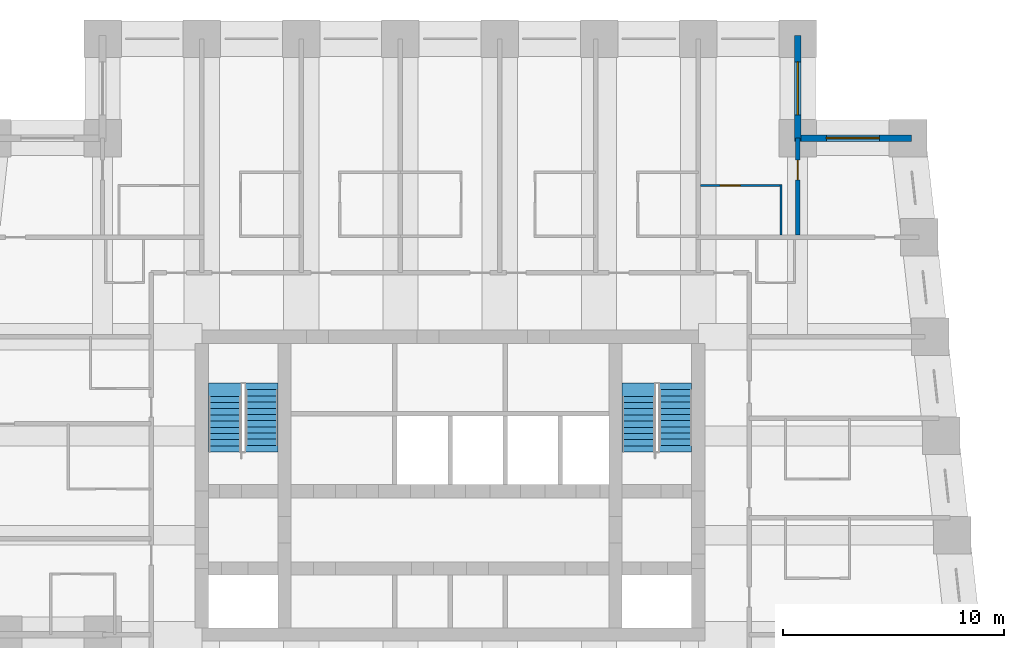
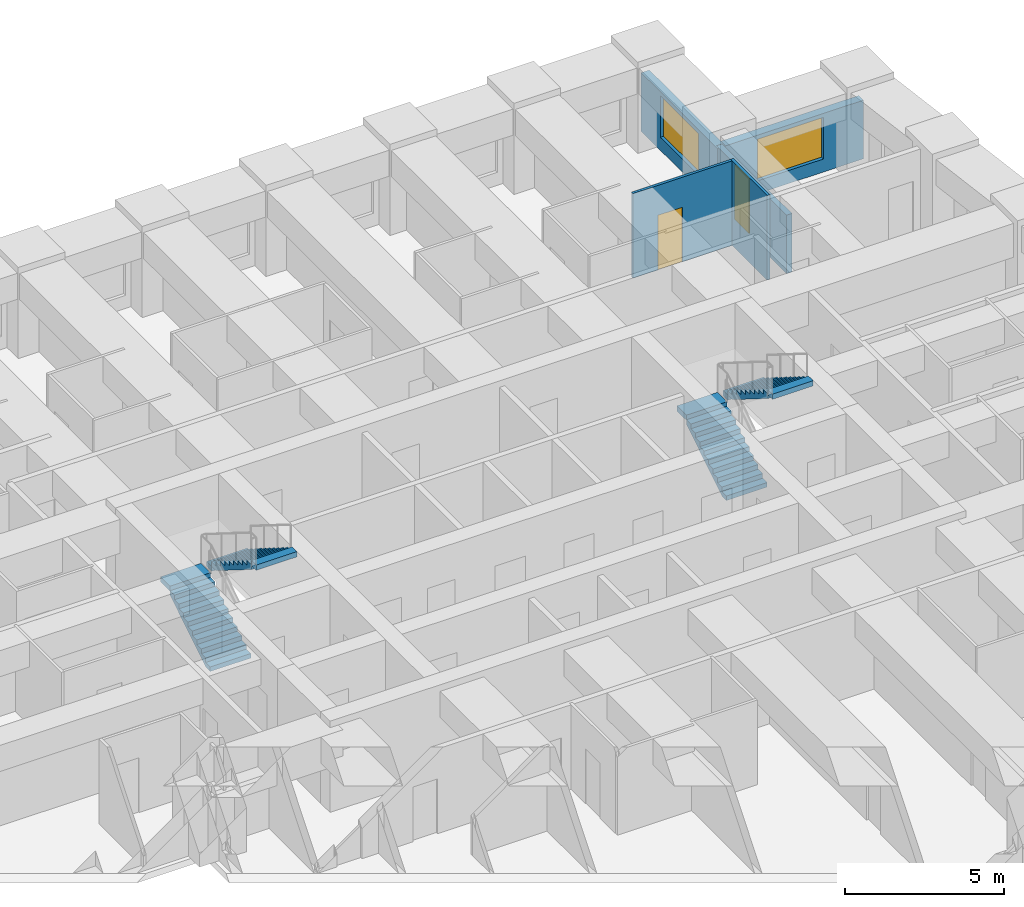
# One storey, part 7 of 8: 5 walls, 4 stair flights, 2 doors, 2 windows, 4 openings, 2 elements without a shape of their own.
"""IFC4 building model written with IfcOpenShell, lengths in metres."""

import ifcopenshell
import ifcopenshell.guid

model = None  # the IFC model being written
_history = None  # IfcOwnerHistory: only IFC2X3 demands one
_inside = {}  # id of a spatial element -> (the spatial element, [elements in it])
_under = {}  # id of a project, library or spatial element -> (it, [spatial elements below it])
_declared = {}  # id of a project -> (the project, [libraries it declares])
_typed = {}  # id of a type object -> (the type object, [elements of that type])
_made_of = {}  # id of a material, layer set ... -> (it, [elements and type objects made of it])


def new_model(schema):
    """Start an empty IFC model of exactly this schema.

    Asked for "IFC4X3", IfcOpenShell would pick the latest addendum, in which some entities
    have other attributes; the version numbers below select the first issue.
    IFC2X3 requires an IfcOwnerHistory on every rooted entity: one is made here for all.
    """
    global model, _history
    if schema == "IFC4X3":
        model = ifcopenshell.file(schema_version=(4, 3, 0, 0))
    else:
        model = ifcopenshell.file(schema=schema)
    _inside.clear()
    _under.clear()
    _declared.clear()
    _typed.clear()
    _made_of.clear()
    _history = None
    if model.schema == "IFC2X3":
        org = make("IfcOrganization", Name="unknown")
        user = make(
            "IfcPersonAndOrganization",
            ThePerson=make("IfcPerson", FamilyName="unknown"),
            TheOrganization=org,
        )
        app = make(
            "IfcApplication",
            ApplicationDeveloper=org,
            Version="unknown",
            ApplicationFullName="unknown",
            ApplicationIdentifier="unknown",
        )
        _history = make(
            "IfcOwnerHistory",
            OwningUser=user,
            OwningApplication=app,
            ChangeAction="ADDED",
            CreationDate=0,
        )
    return model


def make(cls, **values):
    """One entity of the class cls with the attributes given. An attribute that is None is left unset."""
    return model.create_entity(
        cls, **{name: value for name, value in values.items() if value is not None}
    )


def rooted(cls, **values):
    """An entity with a GlobalId (a new one), such as an element, a storey or a relation."""
    return make(cls, GlobalId=ifcopenshell.guid.new(), OwnerHistory=_history, **values)


def si_unit(unit_type, name, prefix=None):
    """IfcSIUnit, for example si_unit("LENGTHUNIT", "METRE", prefix="MILLI")."""
    return make("IfcSIUnit", UnitType=unit_type, Prefix=prefix, Name=name)


def assignment(units):
    """IfcUnitAssignment: the units of a project."""
    return None if units is None else make("IfcUnitAssignment", Units=units)


def point(xyz):
    """IfcCartesianPoint."""
    return None if xyz is None else make("IfcCartesianPoint", Coordinates=xyz)


def direction(xyz):
    """IfcDirection."""
    return None if xyz is None else make("IfcDirection", DirectionRatios=xyz)


def frame(location, z_axis=None, x_axis=None):
    """IfcAxis2Placement3D, a coordinate frame: its origin and axes. An axis left out is left unset."""
    return make(
        "IfcAxis2Placement3D",
        Location=point(location),
        Axis=direction(z_axis),
        RefDirection=direction(x_axis),
    )


def frame_2d(location, x_axis=None):
    """IfcAxis2Placement2D, a coordinate frame in the plane: its origin and x axis."""
    return make(
        "IfcAxis2Placement2D", Location=point(location), RefDirection=direction(x_axis)
    )


def origin():
    """The frame at (0, 0, 0) with its axes left unset."""
    return frame((0.0, 0.0, 0.0))


def place(relative_to, where):
    """IfcLocalPlacement: puts the frame where relative to a parent placement (None: the world)."""
    return make(
        "IfcLocalPlacement", PlacementRelTo=relative_to, RelativePlacement=where
    )


def context(
    kind, dimensions, precision=None, world=None, true_north=None, identifier=None
):
    """IfcGeometricRepresentationContext, for example the 3D "Model" context."""
    return make(
        "IfcGeometricRepresentationContext",
        ContextIdentifier=identifier,
        ContextType=kind,
        CoordinateSpaceDimension=dimensions,
        Precision=precision,
        WorldCoordinateSystem=world,
        TrueNorth=true_north,
    )


def subcontext(parent, identifier, kind, view, scale=None):
    """IfcGeometricRepresentationSubContext, for example "Body" below "Model"."""
    return make(
        "IfcGeometricRepresentationSubContext",
        ContextIdentifier=identifier,
        ContextType=kind,
        ParentContext=parent,
        TargetScale=scale,
        TargetView=view,
    )


def project(units=None, contexts=None):
    """IfcProject with its units and contexts."""
    return rooted(
        "IfcProject",
        Name="project",
        RepresentationContexts=contexts,
        UnitsInContext=assignment(units),
    )


def spatial(cls, under=None, at=None, **own):
    """A site, building, storey or space (cls), placed at a placement, below another one or the project."""
    s = rooted(cls, ObjectPlacement=at, **own)
    if under is not None:
        _under.setdefault(under.id(), (under, []))[1].append(s)
    return s


def polyline(points):
    """IfcPolyline through the points."""
    return make("IfcPolyline", Points=[point(p) for p in points])


def profile(cls, at=None, kind="AREA", **sizes):
    """A parametric profile (cls). Its sizes go by their IFC names, for example OverallWidth=200.0."""
    return make(cls, ProfileType=kind, Position=at, **sizes)


def rectangle(**sizes):
    """IfcRectangleProfileDef."""
    return profile("IfcRectangleProfileDef", **sizes)


def outline(outer, holes=None, kind="AREA"):
    """IfcArbitraryClosedProfileDef: a profile drawn as a closed curve; with holes, ...WithVoids."""
    if holes is None:
        return make("IfcArbitraryClosedProfileDef", ProfileType=kind, OuterCurve=outer)
    return make(
        "IfcArbitraryProfileDefWithVoids",
        ProfileType=kind,
        OuterCurve=outer,
        InnerCurves=holes,
    )


def extrude(swept, where, along, depth):
    """IfcExtrudedAreaSolid: the profile swept, set in the frame where, extruded along a direction by depth."""
    return make(
        "IfcExtrudedAreaSolid",
        SweptArea=swept,
        Position=where,
        ExtrudedDirection=direction(along),
        Depth=depth,
    )


def shape(context_of_items, identifier, shape_type, items):
    """IfcShapeRepresentation: the items that make up one representation, for example the "Body"."""
    return make(
        "IfcShapeRepresentation",
        ContextOfItems=context_of_items,
        RepresentationIdentifier=identifier,
        RepresentationType=shape_type,
        Items=items,
    )


def material(Name=None, Category=None):
    """IfcMaterial."""
    return make("IfcMaterial", Name=Name, Category=Category)


def layer(
    of_material, thickness, ventilated=None, Name=None, Category=None, Priority=None
):
    """IfcMaterialLayer: one layer of a wall or slab, of a material (None: an air gap)."""
    return make(
        "IfcMaterialLayer",
        Material=of_material,
        LayerThickness=thickness,
        IsVentilated=ventilated,
        Name=Name,
        Category=Category,
        Priority=Priority,
    )


def layer_set(layers, Name=None):
    """IfcMaterialLayerSet."""
    return make("IfcMaterialLayerSet", MaterialLayers=layers, LayerSetName=Name)


def made_of(thing, what):
    """Note that an element or type object is made of a material, layer set ...; save() writes the relation."""
    if what is not None:
        _made_of.setdefault(what.id(), (what, []))[1].append(thing)
    return thing


def type_object(cls, material=None, **own):
    """A type object (cls), such as IfcWallType, which elements share."""
    return made_of(rooted(cls, **own), material)


def element(
    cls,
    number,
    at=None,
    inside=None,
    cuts=None,
    type_object=None,
    material=None,
    context=None,
    identifier="Body",
    shape_type=None,
    held_by="IfcProductDefinitionShape",
    body=None,
    shapes=None,
    **own,
):
    """One element of the class cls, such as IfcWall. Its Tag is "e" and its number.

    at: its placement. inside: the storey or other place that contains it. cuts: it is an
    opening in that element (IfcRelVoidsElement). A single representation is given by context,
    identifier, shape_type and body (its items); several are given by shapes. held_by: the class
    of the entity that holds the representations. save() writes the other relations.
    """
    e = rooted(cls, Tag="e%d" % number, ObjectPlacement=at, **own)
    if body is not None:
        shapes = [shape(context, identifier, shape_type, body)]
    if shapes is not None:
        e.Representation = make(held_by, Representations=shapes)
    if inside is not None:
        _inside.setdefault(inside.id(), (inside, []))[1].append(e)
    if cuts is not None:
        rooted(
            "IfcRelVoidsElement", RelatingBuildingElement=cuts, RelatedOpeningElement=e
        )
    if type_object is not None:
        _typed.setdefault(type_object.id(), (type_object, []))[1].append(e)
    return made_of(e, material)


def fill(opening, filler):
    """IfcRelFillsElement: the door or window that sits in an opening."""
    return rooted(
        "IfcRelFillsElement",
        RelatingOpeningElement=opening,
        RelatedBuildingElement=filler,
    )


def aggregate(whole, parts):
    """IfcRelAggregates: a whole, such as a stair, and the parts it consists of."""
    return rooted("IfcRelAggregates", RelatingObject=whole, RelatedObjects=parts)


def save(model, path):
    """Write the relations noted so far, then the file.

    IfcRelAggregates (storeys below a building ...), IfcRelContainedInSpatialStructure (elements
    in a storey), IfcRelDefinesByType, IfcRelAssociatesMaterial and IfcRelDeclares: one each for
    every whole, place, type object, material and project.
    """
    for whole, parts in _under.values():
        aggregate(whole, parts)
    for where, things in _inside.values():
        rooted(
            "IfcRelContainedInSpatialStructure",
            RelatedElements=things,
            RelatingStructure=where,
        )
    for kind, things in _typed.values():
        rooted("IfcRelDefinesByType", RelatedObjects=things, RelatingType=kind)
    for what, things in _made_of.values():
        rooted("IfcRelAssociatesMaterial", RelatedObjects=things, RelatingMaterial=what)
    for by, libraries in _declared.values():
        rooted("IfcRelDeclares", RelatingContext=by, RelatedDefinitions=libraries)
    model.write(path)


model = new_model("IFC4")

# Units and contexts
model_context = context("Model", 3, precision=1e-05, world=origin(), true_north=direction((0.0, 1.0)))
body_context = subcontext(model_context, "Body", "Model", "MODEL_VIEW")
ifc_project = project(units=[si_unit("LENGTHUNIT", "METRE"), si_unit("AREAUNIT", "SQUARE_METRE"), si_unit("VOLUMEUNIT", "CUBIC_METRE"), si_unit("PLANEANGLEUNIT", "RADIAN"), si_unit("MASSUNIT", "GRAM", prefix="KILO")], contexts=[model_context])

# Site, building, storey
site_placement = place(None, origin())
site = spatial("IfcSite", under=ifc_project, at=site_placement, CompositionType="ELEMENT")
building_placement = place(site_placement, origin())
building = spatial("IfcBuilding", under=site, at=building_placement, Name="Kilele Tower Hotel", CompositionType="ELEMENT")
storey_placement = place(building_placement, frame((0.0, 0.0, 183.39990234375)))
storey = spatial("IfcBuildingStorey", under=building, at=storey_placement, Name="L47", CompositionType="ELEMENT", Elevation=183.39990234375)

# Wall
ifc_material_1 = material(Name="Moisture-resistant board")
ifc_layer_1 = layer(ifc_material_1, 0.10009765625)
ifc_layer_set_1 = layer_set([ifc_layer_1], Name="Moisture-resistant board")
wall_type_1 = type_object("IfcWallType", Name="Bathroom partition 100", PredefinedType="PLUMBINGWALL", material=ifc_layer_set_1)
wall_1_placement = place(storey_placement, frame((39.75, 31.60009765625, 0.0), z_axis=(0.0, 0.0, 1.0), x_axis=(0.0, 1.0, 0.0)))
element("IfcWall", 1, at=wall_1_placement, inside=storey, type_object=wall_type_1, Name="Bathroom partition 100 L47", PredefinedType="PLUMBINGWALL", context=body_context, shape_type="SweptSolid", body=[
    extrude(rectangle(XDim=2.2998046875, YDim=0.10009765625, at=frame_2d((1.14990234375, 0.0))), origin(), (0.0, 0.0, 1.0), 3.25),
])

# Wall, opening, door
wall_2_placement = place(storey_placement, frame((36.10009765625, 33.85009765625, 0.0), z_axis=(0.0, 0.0, 1.0), x_axis=(1.0, 0.0, 0.0)))
wall_2 = element("IfcWall", 2, at=wall_2_placement, inside=storey, type_object=wall_type_1, Name="Bathroom partition 100 L47", PredefinedType="PLUMBINGWALL", context=body_context, shape_type="SweptSolid", body=[
    extrude(rectangle(XDim=3.699951171875, YDim=0.10009765625, at=frame_2d((1.85009765625, 0.0))), origin(), (0.0, 0.0, 1.0), 3.25),
])
opening_1_placement = place(wall_2_placement, frame((0.89990234375, 0.0, 0.0)))
opening_1 = element("IfcOpeningElement", 3, at=opening_1_placement, cuts=wall_2, Name="Opening D2A", PredefinedType="OPENING", context=body_context, shape_type="SweptSolid", body=[
    extrude(rectangle(XDim=0.89990234375, YDim=2.10009765625, at=frame_2d((0.449951171875, 1.050048828125))), frame((0.0, 0.06005859375, 0.0), z_axis=(0.0, -1.0, 0.0), x_axis=(1.0, 0.0, 0.0)), (0.0, 0.0, 1.0), 0.1201171875),
])
ifc_material_2 = material(Name="Timber door leaf in hardwood frame", Category="wood")
door_type_1 = type_object("IfcDoorType", Name="Bathroom door 900", OperationType="SINGLE_SWING_LEFT", PredefinedType="DOOR", material=ifc_material_2)
door_1_placement = place(opening_1_placement, origin())
door_1 = element("IfcDoor", 4, at=door_1_placement, inside=storey, type_object=door_type_1, Name="Bathroom door 4723B", OperationType="SINGLE_SWING_LEFT", OverallHeight=2.10009765625, OverallWidth=0.89990234375, PredefinedType="DOOR", context=body_context, shape_type="SweptSolid", body=[
    extrude(rectangle(XDim=0.89990234375, YDim=2.10009765625, at=frame_2d((0.449951171875, 1.050048828125))), frame((0.0, 0.02490234375, 0.0), z_axis=(0.0, -1.0, 0.0), x_axis=(1.0, 0.0, 0.0)), (0.0, 0.0, 1.0), 0.050048828125),
])
fill(opening_1, door_1)

ifc_material_3 = material(Name="Blockwork, plastered both sides", Category="masonry")
ifc_layer_2 = layer(ifc_material_3, 0.199951171875)
ifc_layer_set_2 = layer_set([ifc_layer_2], Name="Blockwork, plastered both sides")
wall_type_2 = type_object("IfcWallType", Name="Partition wall 200", PredefinedType="PARTITIONING", material=ifc_layer_set_2)
wall_3_placement = place(storey_placement, frame((40.5, 31.60009765625, 0.0), z_axis=(0.0, 0.0, 1.0), x_axis=(0.0, 1.0, 0.0)))
wall_3 = element("IfcWall", 5, at=wall_3_placement, inside=storey, type_object=wall_type_2, Name="Partition wall 200 L47", PredefinedType="PARTITIONING", context=body_context, shape_type="SweptSolid", body=[
    extrude(rectangle(XDim=4.39990234375, YDim=0.199951171875, at=frame_2d((2.199951171875, 0.0))), origin(), (0.0, 0.0, 1.0), 2.25),
])
opening_2_placement = place(wall_3_placement, frame((2.5, 0.0, 0.0)))
opening_2 = element("IfcOpeningElement", 6, at=opening_2_placement, cuts=wall_3, Name="Opening D3", PredefinedType="OPENING", context=body_context, shape_type="SweptSolid", body=[
    extrude(rectangle(XDim=0.89990234375, YDim=2.10009765625, at=frame_2d((0.449951171875, 1.050048828125))), frame((0.0, 0.10986328125, 0.0), z_axis=(0.0, -1.0, 0.0), x_axis=(1.0, 0.0, 0.0)), (0.0, 0.0, 1.0), 0.219970703125),
])
ifc_material_4 = material(Name="Timber door leaf in hardwood frame", Category="wood")
door_type_2 = type_object("IfcDoorType", Name="Suite internal door 900", OperationType="SINGLE_SWING_LEFT", PredefinedType="DOOR", material=ifc_material_4)
door_2_placement = place(opening_2_placement, origin())
door_2 = element("IfcDoor", 7, at=door_2_placement, inside=storey, type_object=door_type_2, Name="Suite door 4724", OperationType="SINGLE_SWING_LEFT", OverallHeight=2.10009765625, OverallWidth=0.89990234375, PredefinedType="DOOR", context=body_context, shape_type="SweptSolid", body=[
    extrude(rectangle(XDim=0.89990234375, YDim=2.10009765625, at=frame_2d((0.449951171875, 1.050048828125))), frame((0.0, 0.02490234375, 0.0), z_axis=(0.0, -1.0, 0.0), x_axis=(1.0, 0.0, 0.0)), (0.0, 0.0, 1.0), 0.050048828125),
])
fill(opening_2, door_2)

# Wall, opening, window
ifc_material_5 = material(Name="Concrete C40/50 precast", Category="concrete")
ifc_layer_3 = layer(ifc_material_5, 0.260009765625, Name="Precast backing", Category="LoadBearing")
ifc_material_6 = material(Name="Reconstituted stone finish", Category="masonry")
ifc_layer_4 = layer(ifc_material_6, 0.0400390625, Name="Face mix", Category="Finish")
ifc_layer_set_3 = layer_set([ifc_layer_3, ifc_layer_4], Name="Precast concrete C40/50, reconstituted stone finish")
wall_type_3 = type_object("IfcWallType", Name="Precast stone facade wall 300", PredefinedType="STANDARD", material=ifc_layer_set_3)
wall_4_placement = place(storey_placement, frame((45.64990234375, 36.0, 0.0), z_axis=(0.0, 0.0, 1.0), x_axis=(-1.0, 0.0, 0.0)))
wall_4 = element("IfcWall", 8, at=wall_4_placement, inside=storey, type_object=wall_type_3, Name="Facade wall L47 edge 7", PredefinedType="STANDARD", context=body_context, shape_type="SweptSolid", body=[
    extrude(rectangle(XDim=5.2998046875, YDim=0.300048828125, at=frame_2d((2.64990234375, 0.0))), origin(), (0.0, 0.0, 1.0), 2.25),
])
opening_3_placement = place(wall_4_placement, frame((1.449951171875, 0.0, 0.5)))
opening_3 = element("IfcOpeningElement", 9, at=opening_3_placement, cuts=wall_4, Name="Opening W3", PredefinedType="OPENING", context=body_context, shape_type="SweptSolid", body=[
    extrude(rectangle(XDim=2.39990234375, YDim=1.60009765625, at=frame_2d((1.199951171875, 0.800048828125))), frame((0.0, 0.159912109375, 0.0), z_axis=(0.0, -1.0, 0.0), x_axis=(1.0, 0.0, 0.0)), (0.0, 0.0, 1.0), 0.320068359375),
])
ifc_material_7 = material(Name="Aluminium frame, clear double glazing", Category="aluminium")
window_type = type_object("IfcWindowType", Name="Window W3 2400 x 1600", PartitioningType="SINGLE_PANEL", PredefinedType="WINDOW", material=ifc_material_7)
window_1_placement = place(opening_3_placement, origin())
window_1 = element("IfcWindow", 10, at=window_1_placement, inside=storey, type_object=window_type, Name="Window L47", OverallHeight=1.60009765625, OverallWidth=2.39990234375, PartitioningType="SINGLE_PANEL", PredefinedType="WINDOW", context=body_context, shape_type="SweptSolid", body=[
    extrude(rectangle(XDim=2.39990234375, YDim=1.60009765625, at=frame_2d((1.199951171875, 0.800048828125))), frame((0.0, 0.030029296875, 0.0), z_axis=(0.0, -1.0, 0.0), x_axis=(1.0, 0.0, 0.0)), (0.0, 0.0, 1.0), 0.06005859375),
])
fill(opening_3, window_1)

wall_5_placement = place(storey_placement, frame((40.5, 35.85009765625, 0.0), z_axis=(0.0, 0.0, 1.0), x_axis=(0.0, 1.0, 0.0)))
wall_5 = element("IfcWall", 11, at=wall_5_placement, inside=storey, type_object=wall_type_3, Name="Facade wall L47 edge 8", PredefinedType="STANDARD", context=body_context, shape_type="SweptSolid", body=[
    extrude(rectangle(XDim=4.7998046875, YDim=0.300048828125, at=frame_2d((2.39990234375, 0.0))), origin(), (0.0, 0.0, 1.0), 2.25),
])
opening_4_placement = place(wall_5_placement, frame((1.199951171875, 0.0, 0.5)))
opening_4 = element("IfcOpeningElement", 12, at=opening_4_placement, cuts=wall_5, Name="Opening W3", PredefinedType="OPENING", context=body_context, shape_type="SweptSolid", body=[
    extrude(rectangle(XDim=2.39990234375, YDim=1.60009765625, at=frame_2d((1.199951171875, 0.800048828125))), frame((0.0, 0.159912109375, 0.0), z_axis=(0.0, -1.0, 0.0), x_axis=(1.0, 0.0, 0.0)), (0.0, 0.0, 1.0), 0.320068359375),
])
window_2_placement = place(opening_4_placement, origin())
window_2 = element("IfcWindow", 13, at=window_2_placement, inside=storey, type_object=window_type, Name="Window L47", OverallHeight=1.60009765625, OverallWidth=2.39990234375, PartitioningType="SINGLE_PANEL", PredefinedType="WINDOW", context=body_context, shape_type="SweptSolid", body=[
    extrude(rectangle(XDim=2.39990234375, YDim=1.60009765625, at=frame_2d((1.199951171875, 0.800048828125))), frame((0.0, 0.030029296875, 0.0), z_axis=(0.0, -1.0, 0.0), x_axis=(1.0, 0.0, 0.0)), (0.0, 0.0, 1.0), 0.06005859375),
])
fill(opening_4, window_2)

# Stair, stair flights
ifc_material_8 = material(Name="Precast concrete C40/50", Category="concrete")
stair_type = type_object("IfcStairType", Name="Stair 1475 x 3500", PredefinedType="HALF_TURN_STAIR", material=ifc_material_8)
stair_1_placement = place(storey_placement, origin())
stair_1 = element("IfcStair", 14, at=stair_1_placement, inside=storey, type_object=stair_type, Name="Stair 1 L47", PredefinedType="HALF_TURN_STAIR")
ifc_material_9 = material(Name="Precast concrete C40/50", Category="concrete")
stair_flight_type = type_object("IfcStairFlightType", Name="Flight 1475 riser 175.0", PredefinedType="STRAIGHT", material=ifc_material_9)
stair_flight_1_placement = place(storey_placement, frame((14.53759765625, 21.77490234375, 0.0), z_axis=(0.0, 0.0, 1.0), x_axis=(0.0, 1.0, 0.0)))
stair_flight_1 = element("IfcStairFlight", 15, at=stair_flight_1_placement, type_object=stair_flight_type, Name="ST1 flight 1", NumberOfRisers=10, NumberOfTreads=9, PredefinedType="STRAIGHT", RiserHeight=0.175, TreadLength=0.28, context=body_context, shape_type="SweptSolid", body=[
    extrude(outline(polyline([(0.0, 0.0), (0.0, 0.175048828125), (0.280029296875, 0.175048828125), (0.280029296875, 0.35009765625), (0.56005859375, 0.35009765625), (0.56005859375, 0.52490234375), (0.840087890625, 0.52490234375), (0.840087890625, 0.699951171875), (1.1201171875, 0.699951171875), (1.1201171875, 0.875), (1.39990234375, 0.875), (1.39990234375, 1.050048828125), (1.679931640625, 1.050048828125), (1.679931640625, 1.22509765625), (1.9599609375, 1.22509765625), (1.9599609375, 1.39990234375), (2.239990234375, 1.39990234375), (2.239990234375, 1.574951171875), (2.52001953125, 1.574951171875), (2.52001953125, 1.75), (2.52001953125, 1.398193359375), (0.28271484375, 0.0), (0.0, 0.0)])), frame((0.0, 0.737548828125, 0.0), z_axis=(0.0, -1.0, 0.0), x_axis=(1.0, 0.0, 0.0)), (0.0, 0.0, 1.0), 1.47509765625),
    extrude(outline(polyline([(2.52001953125, 0.737548828125), (2.52001953125, -0.7373046875), (3.1201171875, -0.7373046875), (3.1201171875, 0.737548828125), (2.52001953125, 0.737548828125)])), frame((0.0, 0.0, 1.550048828125)), (0.0, 0.0, 1.0), 0.199951171875),
])
stair_flight_2_placement = place(storey_placement, frame((16.21240234375, 24.594970703125, 1.75), z_axis=(0.0, 0.0, 1.0), x_axis=(0.0, -1.0, 0.0)))
stair_flight_2 = element("IfcStairFlight", 16, at=stair_flight_2_placement, type_object=stair_flight_type, Name="ST1 flight 2", NumberOfRisers=10, NumberOfTreads=9, PredefinedType="STRAIGHT", RiserHeight=0.175, TreadLength=0.28, context=body_context, shape_type="SweptSolid", body=[
    extrude(outline(polyline([(0.0, 0.0), (0.0, 0.175048828125), (0.280029296875, 0.175048828125), (0.280029296875, 0.35009765625), (0.56005859375, 0.35009765625), (0.56005859375, 0.52490234375), (0.840087890625, 0.52490234375), (0.840087890625, 0.699951171875), (1.1201171875, 0.699951171875), (1.1201171875, 0.875), (1.39990234375, 0.875), (1.39990234375, 1.050048828125), (1.679931640625, 1.050048828125), (1.679931640625, 1.22509765625), (1.9599609375, 1.22509765625), (1.9599609375, 1.39990234375), (2.239990234375, 1.39990234375), (2.239990234375, 1.574951171875), (2.52001953125, 1.574951171875), (2.52001953125, 1.75), (2.52001953125, 1.398193359375), (0.28271484375, 0.0), (0.0, 0.0)])), frame((0.0, 0.737548828125, 0.0), z_axis=(0.0, -1.0, 0.0), x_axis=(1.0, 0.0, 0.0)), (0.0, 0.0, 1.0), 1.47509765625),
    extrude(outline(polyline([(0.0, -0.7373046875), (0.0, 0.737548828125), (-0.300048828125, 0.737548828125), (-0.300048828125, -0.7373046875), (0.0, -0.7373046875)])), frame((0.0, 0.0, -0.199951171875)), (0.0, 0.0, 1.0), 0.199951171875),
    extrude(outline(polyline([(2.820068359375, -0.7373046875), (2.820068359375, 0.737548828125), (2.52001953125, 0.737548828125), (2.52001953125, -0.7373046875), (2.820068359375, -0.7373046875)])), frame((0.0, 0.0, 1.550048828125)), (0.0, 0.0, 1.0), 0.199951171875),
])
aggregate(stair_1, [stair_flight_1, stair_flight_2])

stair_2_placement = place(storey_placement, origin())
stair_2 = element("IfcStair", 17, at=stair_2_placement, inside=storey, type_object=stair_type, Name="Stair 2 L47", PredefinedType="HALF_TURN_STAIR")
stair_flight_3_placement = place(storey_placement, frame((33.28759765625, 21.77490234375, 0.0), z_axis=(0.0, 0.0, 1.0), x_axis=(0.0, 1.0, 0.0)))
stair_flight_3 = element("IfcStairFlight", 18, at=stair_flight_3_placement, type_object=stair_flight_type, Name="ST2 flight 1", NumberOfRisers=10, NumberOfTreads=9, PredefinedType="STRAIGHT", RiserHeight=0.175, TreadLength=0.28, context=body_context, shape_type="SweptSolid", body=[
    extrude(outline(polyline([(0.0, 0.0), (0.0, 0.175048828125), (0.280029296875, 0.175048828125), (0.280029296875, 0.35009765625), (0.56005859375, 0.35009765625), (0.56005859375, 0.52490234375), (0.840087890625, 0.52490234375), (0.840087890625, 0.699951171875), (1.1201171875, 0.699951171875), (1.1201171875, 0.875), (1.39990234375, 0.875), (1.39990234375, 1.050048828125), (1.679931640625, 1.050048828125), (1.679931640625, 1.22509765625), (1.9599609375, 1.22509765625), (1.9599609375, 1.39990234375), (2.239990234375, 1.39990234375), (2.239990234375, 1.574951171875), (2.52001953125, 1.574951171875), (2.52001953125, 1.75), (2.52001953125, 1.398193359375), (0.28271484375, 0.0), (0.0, 0.0)])), frame((0.0, 0.737548828125, 0.0), z_axis=(0.0, -1.0, 0.0), x_axis=(1.0, 0.0, 0.0)), (0.0, 0.0, 1.0), 1.47509765625),
    extrude(outline(polyline([(2.52001953125, 0.737548828125), (2.52001953125, -0.7373046875), (3.1201171875, -0.7373046875), (3.1201171875, 0.737548828125), (2.52001953125, 0.737548828125)])), frame((0.0, 0.0, 1.550048828125)), (0.0, 0.0, 1.0), 0.199951171875),
])
stair_flight_4_placement = place(storey_placement, frame((34.96240234375, 24.594970703125, 1.75), z_axis=(0.0, 0.0, 1.0), x_axis=(0.0, -1.0, 0.0)))
stair_flight_4 = element("IfcStairFlight", 19, at=stair_flight_4_placement, type_object=stair_flight_type, Name="ST2 flight 2", NumberOfRisers=10, NumberOfTreads=9, PredefinedType="STRAIGHT", RiserHeight=0.175, TreadLength=0.28, context=body_context, shape_type="SweptSolid", body=[
    extrude(outline(polyline([(0.0, 0.0), (0.0, 0.175048828125), (0.280029296875, 0.175048828125), (0.280029296875, 0.35009765625), (0.56005859375, 0.35009765625), (0.56005859375, 0.52490234375), (0.840087890625, 0.52490234375), (0.840087890625, 0.699951171875), (1.1201171875, 0.699951171875), (1.1201171875, 0.875), (1.39990234375, 0.875), (1.39990234375, 1.050048828125), (1.679931640625, 1.050048828125), (1.679931640625, 1.22509765625), (1.9599609375, 1.22509765625), (1.9599609375, 1.39990234375), (2.239990234375, 1.39990234375), (2.239990234375, 1.574951171875), (2.52001953125, 1.574951171875), (2.52001953125, 1.75), (2.52001953125, 1.398193359375), (0.28271484375, 0.0), (0.0, 0.0)])), frame((0.0, 0.737548828125, 0.0), z_axis=(0.0, -1.0, 0.0), x_axis=(1.0, 0.0, 0.0)), (0.0, 0.0, 1.0), 1.47509765625),
    extrude(outline(polyline([(0.0, -0.7373046875), (0.0, 0.737548828125), (-0.300048828125, 0.737548828125), (-0.300048828125, -0.7373046875), (0.0, -0.7373046875)])), frame((0.0, 0.0, -0.199951171875)), (0.0, 0.0, 1.0), 0.199951171875),
    extrude(outline(polyline([(2.820068359375, -0.7373046875), (2.820068359375, 0.737548828125), (2.52001953125, 0.737548828125), (2.52001953125, -0.7373046875), (2.820068359375, -0.7373046875)])), frame((0.0, 0.0, 1.550048828125)), (0.0, 0.0, 1.0), 0.199951171875),
])
aggregate(stair_2, [stair_flight_3, stair_flight_4])

save(model, "model.ifc")
